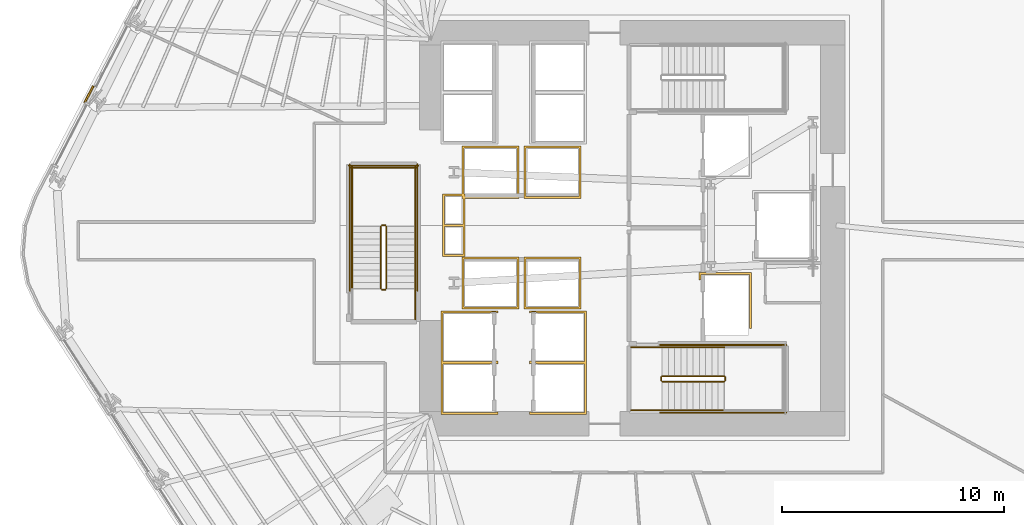
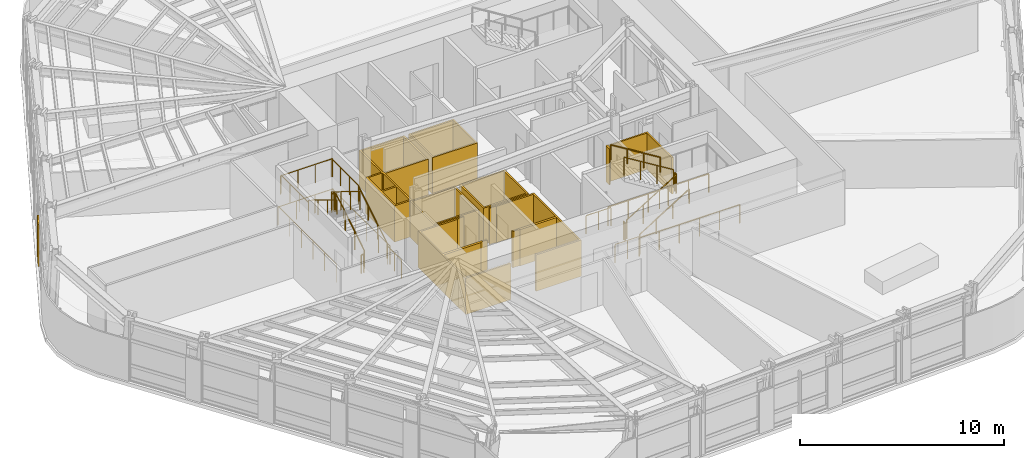
# One storey, part 11 of 15: 23 railings, 8 coverings.
"""IFC4 building model written with IfcOpenShell, lengths in metres."""

from ifc_helpers import new_model, si_unit, direction, frame, origin, origin_2d, place, context, subcontext, project, spatial, polyline, circle, outline, extrude, material, layer, layer_set, type_object, element, save


model = new_model("IFC4")

# Units and contexts
model_context = context("Model", 3, precision=1e-05, world=origin(), true_north=direction((0.0, 1.0)))
body_context = subcontext(model_context, "Body", "Model", "MODEL_VIEW")
ifc_project = project(units=[si_unit("LENGTHUNIT", "METRE"), si_unit("AREAUNIT", "SQUARE_METRE"), si_unit("VOLUMEUNIT", "CUBIC_METRE"), si_unit("PLANEANGLEUNIT", "RADIAN"), si_unit("MASSUNIT", "GRAM", prefix="KILO")], contexts=[model_context])

# Site, building, storey
site_placement = place(None, origin())
site = spatial("IfcSite", under=ifc_project, at=site_placement, CompositionType="ELEMENT")
building_placement = place(site_placement, origin())
building = spatial("IfcBuilding", under=site, at=building_placement, Name="Valkerne Bourse Tower", CompositionType="ELEMENT")
storey_placement = place(building_placement, frame((0.0, 0.0, 35.39990234375)))
storey = spatial("IfcBuildingStorey", under=building, at=storey_placement, Name="L08", CompositionType="ELEMENT", Elevation=35.39990234375)

# Coverings
ifc_material_1 = material(Name="Bronze Anodised Aluminium AA 6063-T6", Category="aluminium")
ifc_layer_1 = layer(ifc_material_1, 0.06005859375)
ifc_layer_set_1 = layer_set([ifc_layer_1], Name="Bronze Anodised Aluminium AA 6063-T6")
covering_type_1 = type_object("IfcCoveringType", Name="COV-CRN-ALUM", PredefinedType="CLADDING", material=ifc_layer_set_1)
covering_1_placement = place(storey_placement, origin())
element("IfcCovering", 1, at=covering_1_placement, inside=storey, type_object=covering_type_1, Name="L08 Wind-Shaped Corner Aluminium Cladding 12", PredefinedType="CLADDING", context=body_context, shape_type="SweptSolid", body=[
    extrude(outline(polyline([(22.4365234375, 33.30224609375), (22.507568359375, 33.265625), (22.1201171875, 32.520263671875), (22.049072265625, 32.556884765625), (22.4365234375, 33.30224609375)])), origin(), (0.0, 0.0, 1.0), 2.5),
])
ifc_material_2 = material(Name="Gypsum Shaftwall Liner Board", Category="gypsum")
ifc_layer_2 = layer(ifc_material_2, 0.080078125)
ifc_layer_set_2 = layer_set([ifc_layer_2], Name="Gypsum Shaftwall Liner Board")
covering_type_2 = type_object("IfcCoveringType", Name="COV-SHF-CLAD", PredefinedType="CLADDING", material=ifc_layer_set_2)
covering_2_placement = place(storey_placement, origin())
element("IfcCovering", 2, at=covering_2_placement, inside=storey, type_object=covering_type_2, Name="L08 Hoistway & Riser Shaftwall Liner 01", PredefinedType="CLADDING", context=body_context, shape_type="SweptSolid", body=[
    extrude(outline(polyline([(38.169921875, 23.1298828125), (40.72998046875, 23.1298828125), (40.72998046875, 23.052001953125), (40.72216796875, 23.0556640625), (40.6806640625, 23.070556640625), (40.6376953125, 23.081298828125), (40.593994140625, 23.087890625), (40.550048828125, 23.090087890625), (40.505859375, 23.087890625), (40.462158203125, 23.081298828125), (40.41943359375, 23.070556640625), (40.377685546875, 23.0556640625), (40.344482421875, 23.0400390625), (38.260009765625, 23.0400390625), (38.260009765625, 20.860107421875), (40.456787109375, 20.860107421875), (40.462158203125, 20.858642578125), (40.505859375, 20.852294921875), (40.550048828125, 20.85009765625), (40.593994140625, 20.852294921875), (40.6376953125, 20.858642578125), (40.6806640625, 20.869384765625), (40.72216796875, 20.88427734375), (40.72998046875, 20.887939453125), (40.72998046875, 20.830078125), (40.72998046875, 20.77001953125), (40.72998046875, 20.752197265625), (40.72216796875, 20.755615234375), (40.6806640625, 20.7705078125), (40.6376953125, 20.781494140625), (40.593994140625, 20.787841796875), (40.550048828125, 20.7900390625), (40.505859375, 20.787841796875), (40.462158203125, 20.781494140625), (40.41943359375, 20.7705078125), (40.377685546875, 20.755615234375), (40.344482421875, 20.739990234375), (38.260009765625, 20.739990234375), (38.260009765625, 18.56005859375), (40.456787109375, 18.56005859375), (40.462158203125, 18.55859375), (40.505859375, 18.55224609375), (40.550048828125, 18.550048828125), (40.593994140625, 18.55224609375), (40.6376953125, 18.55859375), (40.6806640625, 18.5693359375), (40.72216796875, 18.584228515625), (40.72998046875, 18.587890625), (40.72998046875, 18.469970703125), (38.169921875, 18.469970703125), (38.169921875, 20.77001953125), (38.169921875, 20.830078125), (38.169921875, 23.1298828125)])), origin(), (0.0, 0.0, 1.0), 2.18017578125),
])
covering_3_placement = place(storey_placement, origin())
element("IfcCovering", 3, at=covering_3_placement, inside=storey, type_object=covering_type_2, Name="L08 Hoistway & Riser Shaftwall Liner 02", PredefinedType="CLADDING", context=body_context, shape_type="SweptSolid", body=[
    extrude(outline(polyline([(41.679931640625, 23.219970703125), (39.1201171875, 23.219970703125), (39.1201171875, 25.580078125), (41.679931640625, 25.580078125), (41.679931640625, 23.219970703125)]), holes=[polyline([(39.2099609375, 25.489990234375), (39.2099609375, 23.31005859375), (41.590087890625, 23.31005859375), (41.590087890625, 25.489990234375), (39.2099609375, 25.489990234375)])]), origin(), (0.0, 0.0, 1.0), 2.18017578125),
])
covering_4_placement = place(storey_placement, origin())
element("IfcCovering", 4, at=covering_4_placement, inside=storey, type_object=covering_type_2, Name="L08 Hoistway & Riser Shaftwall Liner 03", PredefinedType="CLADDING", context=body_context, shape_type="SweptSolid", body=[
    extrude(outline(polyline([(44.47998046875, 23.219970703125), (41.919921875, 23.219970703125), (41.919921875, 25.580078125), (44.47998046875, 25.580078125), (44.47998046875, 23.219970703125)]), holes=[polyline([(42.010009765625, 25.489990234375), (42.010009765625, 23.31005859375), (44.389892578125, 23.31005859375), (44.389892578125, 25.489990234375), (42.010009765625, 25.489990234375)])]), origin(), (0.0, 0.0, 1.0), 2.18017578125),
])
covering_5_placement = place(storey_placement, origin())
element("IfcCovering", 5, at=covering_5_placement, inside=storey, type_object=covering_type_2, Name="L08 Hoistway & Riser Shaftwall Liner 04", PredefinedType="CLADDING", context=body_context, shape_type="SweptSolid", body=[
    extrude(outline(polyline([(38.239990234375, 28.409912109375), (39.1201171875, 28.409912109375), (39.1201171875, 30.580078125), (41.679931640625, 30.580078125), (41.679931640625, 28.219970703125), (39.239990234375, 28.219970703125), (39.239990234375, 27.0400390625), (39.239990234375, 26.9599609375), (39.239990234375, 25.590087890625), (38.239990234375, 25.590087890625), (38.239990234375, 26.9599609375), (38.239990234375, 27.0400390625), (38.239990234375, 28.409912109375)]), holes=[polyline([(39.2099609375, 30.489990234375), (39.2099609375, 28.409912109375), (39.239990234375, 28.409912109375), (39.239990234375, 28.31005859375), (41.590087890625, 28.31005859375), (41.590087890625, 30.489990234375), (39.2099609375, 30.489990234375)]), polyline([(38.330078125, 26.949951171875), (38.330078125, 25.679931640625), (39.14990234375, 25.679931640625), (39.14990234375, 26.949951171875), (38.330078125, 26.949951171875)]), polyline([(39.1201171875, 28.219970703125), (39.1201171875, 28.320068359375), (38.330078125, 28.320068359375), (38.330078125, 27.050048828125), (39.14990234375, 27.050048828125), (39.14990234375, 28.219970703125), (39.1201171875, 28.219970703125)])]), origin(), (0.0, 0.0, 1.0), 2.18017578125),
])
covering_6_placement = place(storey_placement, origin())
element("IfcCovering", 6, at=covering_6_placement, inside=storey, type_object=covering_type_2, Name="L08 Hoistway & Riser Shaftwall Liner 06", PredefinedType="CLADDING", context=body_context, shape_type="SweptSolid", body=[
    extrude(outline(polyline([(42.169921875, 20.830078125), (42.169921875, 20.887939453125), (42.177734375, 20.88427734375), (42.219482421875, 20.869384765625), (42.26220703125, 20.858642578125), (42.305908203125, 20.852294921875), (42.35009765625, 20.85009765625), (42.39404296875, 20.852294921875), (42.437744140625, 20.858642578125), (42.443115234375, 20.860107421875), (44.639892578125, 20.860107421875), (44.639892578125, 23.0400390625), (42.555419921875, 23.0400390625), (42.522216796875, 23.0556640625), (42.480712890625, 23.070556640625), (42.437744140625, 23.081298828125), (42.39404296875, 23.087890625), (42.35009765625, 23.090087890625), (42.305908203125, 23.087890625), (42.26220703125, 23.081298828125), (42.219482421875, 23.070556640625), (42.177734375, 23.0556640625), (42.169921875, 23.052001953125), (42.169921875, 23.1298828125), (44.72998046875, 23.1298828125), (44.72998046875, 20.830078125), (44.72998046875, 20.77001953125), (44.72998046875, 18.469970703125), (42.169921875, 18.469970703125), (42.169921875, 18.587890625), (42.177734375, 18.584228515625), (42.219482421875, 18.5693359375), (42.26220703125, 18.55859375), (42.305908203125, 18.55224609375), (42.35009765625, 18.550048828125), (42.39404296875, 18.55224609375), (42.437744140625, 18.55859375), (42.443115234375, 18.56005859375), (44.639892578125, 18.56005859375), (44.639892578125, 20.739990234375), (42.555419921875, 20.739990234375), (42.522216796875, 20.755615234375), (42.480712890625, 20.7705078125), (42.437744140625, 20.781494140625), (42.39404296875, 20.787841796875), (42.35009765625, 20.7900390625), (42.305908203125, 20.787841796875), (42.26220703125, 20.781494140625), (42.219482421875, 20.7705078125), (42.177734375, 20.755615234375), (42.169921875, 20.752197265625), (42.169921875, 20.77001953125), (42.169921875, 20.830078125)])), origin(), (0.0, 0.0, 1.0), 2.18017578125),
])
covering_7_placement = place(storey_placement, origin())
element("IfcCovering", 7, at=covering_7_placement, inside=storey, type_object=covering_type_2, Name="L08 Hoistway & Riser Shaftwall Liner 07", PredefinedType="CLADDING", context=body_context, shape_type="SweptSolid", body=[
    extrude(outline(polyline([(52.179931640625, 22.35009765625), (52.090087890625, 22.35009765625), (52.090087890625, 24.7900390625), (49.909912109375, 24.7900390625), (49.909912109375, 24.560791015625), (49.869384765625, 24.550537109375), (49.827880859375, 24.53564453125), (49.820068359375, 24.531982421875), (49.820068359375, 24.8798828125), (52.179931640625, 24.8798828125), (52.179931640625, 22.35009765625)])), origin(), (0.0, 0.0, 1.0), 2.18017578125),
])
covering_8_placement = place(storey_placement, origin())
element("IfcCovering", 8, at=covering_8_placement, inside=storey, type_object=covering_type_2, Name="L08 Hoistway & Riser Shaftwall Liner 09", PredefinedType="CLADDING", context=body_context, shape_type="SweptSolid", body=[
    extrude(outline(polyline([(44.47998046875, 28.219970703125), (41.919921875, 28.219970703125), (41.919921875, 30.580078125), (44.47998046875, 30.580078125), (44.47998046875, 28.219970703125)]), holes=[polyline([(42.010009765625, 30.489990234375), (42.010009765625, 28.31005859375), (44.389892578125, 28.31005859375), (44.389892578125, 30.489990234375), (42.010009765625, 30.489990234375)])]), origin(), (0.0, 0.0, 1.0), 2.18017578125),
])

# Railings
ifc_material_3 = material(Name="Galvanised Painted Steel", Category="steel")
railing_type_1 = type_object("IfcRailingType", Name="RLG-ST-GUARD-1120", PredefinedType="GUARDRAIL", material=ifc_material_3)
railing_1_placement = place(storey_placement, frame((48.14990234375, 19.949951171875, 0.1728515625)))
element("IfcRailing", 9, at=railing_1_placement, inside=storey, type_object=railing_type_1, Name="L08 ST-1 stair guard 1", PredefinedType="GUARDRAIL", context=body_context, shape_type="SweptSolid", body=[
    extrude(circle(Radius=0.02392578125, at=origin_2d()), frame((0.0, 0.0, 1.09619140625), z_axis=(0.851089632645, 0.0, 0.525020415988), x_axis=(0.0, 1.0, 0.0)), (0.0, 0.0, 1.0), 3.2900390625),
    extrude(circle(Radius=0.02099609375, at=origin_2d()), origin(), (0.0, 0.0, 1.0), 1.072021484375),
    extrude(circle(Radius=0.02099609375, at=origin_2d()), frame((0.933349609375, 0.0, 0.57568359375)), (0.0, 0.0, 1.0), 1.072021484375),
    extrude(circle(Radius=0.02099609375, at=origin_2d()), frame((1.86669921875, 0.0, 1.151611328125)), (0.0, 0.0, 1.0), 1.072021484375),
    extrude(circle(Radius=0.02099609375, at=origin_2d()), frame((2.800048828125, 0.0, 1.727294921875)), (0.0, 0.0, 1.0), 1.072021484375),
])
railing_2_placement = place(storey_placement, frame((51.0, 20.0, 1.900146484375)))
element("IfcRailing", 10, at=railing_2_placement, inside=storey, type_object=railing_type_1, Name="L08 ST-1 stair guard 2", PredefinedType="GUARDRAIL", context=body_context, shape_type="SweptSolid", body=[
    extrude(circle(Radius=0.02392578125, at=origin_2d()), frame((0.0, 0.0, 1.09619140625), z_axis=(0.0, 1.0, 0.0), x_axis=(-1.0, 0.0, 0.0)), (0.0, 0.0, 1.0), 0.14990234375),
    extrude(circle(Radius=0.02099609375, at=origin_2d()), origin(), (0.0, 0.0, 1.0), 1.072021484375),
    extrude(circle(Radius=0.02099609375, at=origin_2d()), frame((0.0, 0.14990234375, 0.0)), (0.0, 0.0, 1.0), 1.072021484375),
])
railing_3_placement = place(storey_placement, frame((50.949951171875, 20.199951171875, 2.07275390625)))
element("IfcRailing", 11, at=railing_3_placement, inside=storey, type_object=railing_type_1, Name="L08 ST-1 stair guard 6", PredefinedType="GUARDRAIL", context=body_context, shape_type="SweptSolid", body=[
    extrude(circle(Radius=0.02392578125, at=origin_2d()), frame((0.0, 0.0, 1.09619140625), z_axis=(-0.851089632645, 0.0, 0.525020415988), x_axis=(0.0, -1.0, 0.0)), (0.0, 0.0, 1.0), 3.2900390625),
    extrude(circle(Radius=0.02099609375, at=origin_2d()), origin(), (0.0, 0.0, 1.0), 1.072021484375),
    extrude(circle(Radius=0.02099609375, at=origin_2d()), frame((-0.933349609375, 0.0, 0.57568359375)), (0.0, 0.0, 1.0), 1.072021484375),
    extrude(circle(Radius=0.02099609375, at=origin_2d()), frame((-1.86669921875, 0.0, 1.151611328125)), (0.0, 0.0, 1.0), 1.072021484375),
    extrude(circle(Radius=0.02099609375, at=origin_2d()), frame((-2.800048828125, 0.0, 1.727294921875)), (0.0, 0.0, 1.0), 1.072021484375),
])
railing_4_placement = place(storey_placement, frame((48.10009765625, 20.0, 0.0)))
element("IfcRailing", 12, at=railing_4_placement, inside=storey, type_object=railing_type_1, Name="L08 ST-1 stair guard 7", PredefinedType="GUARDRAIL", context=body_context, shape_type="SweptSolid", body=[
    extrude(circle(Radius=0.02392578125, at=origin_2d()), frame((0.0, 0.0, 1.09619140625), z_axis=(0.0, 1.0, 0.0), x_axis=(-1.0, 0.0, 0.0)), (0.0, 0.0, 1.0), 0.14990234375),
    extrude(circle(Radius=0.02099609375, at=origin_2d()), origin(), (0.0, 0.0, 1.0), 1.072021484375),
    extrude(circle(Radius=0.02099609375, at=origin_2d()), frame((0.0, 0.14990234375, 0.0)), (0.0, 0.0, 1.0), 1.072021484375),
])
for number, where, name in (
    (13, (46.75, 18.64990234375, 0.0), "L08 ST-1 stair guard 8"),
    (14, (46.75, 21.5, 0.0), "L08 ST-1 stair guard 9"),
):
    element("IfcRailing", number, at=place(storey_placement, frame(where)), inside=storey, type_object=railing_type_1, Name=name, PredefinedType="GUARDRAIL", context=body_context, shape_type="SweptSolid", body=[
        extrude(circle(Radius=0.02392578125, at=origin_2d()), frame((0.0, 0.0, 1.09619140625), z_axis=(1.0, 0.0, 0.0), x_axis=(0.0, 1.0, 0.0)), (0.0, 0.0, 1.0), 1.39990234375),
        extrude(circle(Radius=0.02099609375, at=origin_2d()), origin(), (0.0, 0.0, 1.0), 1.072021484375),
        extrude(circle(Radius=0.02099609375, at=origin_2d()), frame((0.699951171875, 0.0, 0.0)), (0.0, 0.0, 1.0), 1.072021484375),
        extrude(circle(Radius=0.02099609375, at=origin_2d()), frame((1.39990234375, 0.0, 0.0)), (0.0, 0.0, 1.0), 1.072021484375),
    ])
for number, where, name in (
    (15, (48.050048828125, 18.550048828125, 0.0), "L08 ST-1 stair guard 10"),
    (16, (48.050048828125, 21.60009765625, 0.0), "L08 ST-1 stair guard 11"),
):
    element("IfcRailing", number, at=place(storey_placement, frame(where)), inside=storey, type_object=railing_type_1, Name=name, PredefinedType="GUARDRAIL", context=body_context, shape_type="SweptSolid", body=[
        extrude(circle(Radius=0.02392578125, at=origin_2d()), frame((0.0, 0.0, 1.09619140625), z_axis=(1.0, 0.0, 0.0), x_axis=(0.0, 1.0, 0.0)), (0.0, 0.0, 1.0), 5.699951171875),
        extrude(circle(Radius=0.02099609375, at=origin_2d()), origin(), (0.0, 0.0, 1.0), 1.072021484375),
        extrude(circle(Radius=0.02099609375, at=origin_2d()), frame((1.139892578125, 0.0, 0.0)), (0.0, 0.0, 1.0), 1.072021484375),
        extrude(circle(Radius=0.02099609375, at=origin_2d()), frame((2.280029296875, 0.0, 0.0)), (0.0, 0.0, 1.0), 1.072021484375),
        extrude(circle(Radius=0.02099609375, at=origin_2d()), frame((3.419921875, 0.0, 0.0)), (0.0, 0.0, 1.0), 1.072021484375),
        extrude(circle(Radius=0.02099609375, at=origin_2d()), frame((4.56005859375, 0.0, 0.0)), (0.0, 0.0, 1.0), 1.072021484375),
        extrude(circle(Radius=0.02099609375, at=origin_2d()), frame((5.699951171875, 0.0, 0.0)), (0.0, 0.0, 1.0), 1.072021484375),
    ])
railing_5_placement = place(storey_placement, frame((35.699951171875, 24.14990234375, 0.1728515625)))
element("IfcRailing", 17, at=railing_5_placement, inside=storey, type_object=railing_type_1, Name="L08 ST-3 stair guard 1", PredefinedType="GUARDRAIL", context=body_context, shape_type="SweptSolid", body=[
    extrude(circle(Radius=0.02392578125, at=origin_2d()), frame((0.0, 0.0, 1.09619140625), z_axis=(0.0, 0.851089632645, 0.525020415988), x_axis=(-1.0, 0.0, 0.0)), (0.0, 0.0, 1.0), 3.2900390625),
    extrude(circle(Radius=0.02099609375, at=origin_2d()), origin(), (0.0, 0.0, 1.0), 1.072021484375),
    extrude(circle(Radius=0.02099609375, at=origin_2d()), frame((0.0, 0.933349609375, 0.57568359375)), (0.0, 0.0, 1.0), 1.072021484375),
    extrude(circle(Radius=0.02099609375, at=origin_2d()), frame((0.0, 1.86669921875, 1.151611328125)), (0.0, 0.0, 1.0), 1.072021484375),
    extrude(circle(Radius=0.02099609375, at=origin_2d()), frame((0.0, 2.800048828125, 1.727294921875)), (0.0, 0.0, 1.0), 1.072021484375),
])
railing_6_placement = place(storey_placement, frame((35.64990234375, 27.0, 1.900146484375)))
element("IfcRailing", 18, at=railing_6_placement, inside=storey, type_object=railing_type_1, Name="L08 ST-3 stair guard 2", PredefinedType="GUARDRAIL", context=body_context, shape_type="SweptSolid", body=[
    extrude(circle(Radius=0.02392578125, at=origin_2d()), frame((0.0, 0.0, 1.09619140625), z_axis=(-1.0, 0.0, 0.0), x_axis=(0.0, -1.0, 0.0)), (0.0, 0.0, 1.0), 0.14990234375),
    extrude(circle(Radius=0.02099609375, at=origin_2d()), origin(), (0.0, 0.0, 1.0), 1.072021484375),
    extrude(circle(Radius=0.02099609375, at=origin_2d()), frame((-0.14990234375, 0.0, 0.0)), (0.0, 0.0, 1.0), 1.072021484375),
])
for number, where, name in (
    (19, (37.0, 26.949951171875, 1.900146484375), "L08 ST-3 stair guard 3"),
    (20, (34.14990234375, 26.949951171875, 1.900146484375), "L08 ST-3 stair guard 4"),
):
    element("IfcRailing", number, at=place(storey_placement, frame(where)), inside=storey, type_object=railing_type_1, Name=name, PredefinedType="GUARDRAIL", context=body_context, shape_type="SweptSolid", body=[
        extrude(circle(Radius=0.02392578125, at=origin_2d()), frame((0.0, 0.0, 1.09619140625), z_axis=(0.0, 1.0, 0.0), x_axis=(-1.0, 0.0, 0.0)), (0.0, 0.0, 1.0), 2.699951171875),
        extrude(circle(Radius=0.02099609375, at=origin_2d()), origin(), (0.0, 0.0, 1.0), 1.072021484375),
        extrude(circle(Radius=0.02099609375, at=origin_2d()), frame((0.0, 0.89990234375, 0.0)), (0.0, 0.0, 1.0), 1.072021484375),
        extrude(circle(Radius=0.02099609375, at=origin_2d()), frame((0.0, 1.800048828125, 0.0)), (0.0, 0.0, 1.0), 1.072021484375),
        extrude(circle(Radius=0.02099609375, at=origin_2d()), frame((0.0, 2.699951171875, 0.0)), (0.0, 0.0, 1.0), 1.072021484375),
    ])
railing_7_placement = place(storey_placement, frame((37.050048828125, 29.60009765625, 1.900146484375)))
element("IfcRailing", 21, at=railing_7_placement, inside=storey, type_object=railing_type_1, Name="L08 ST-3 stair guard 5", PredefinedType="GUARDRAIL", context=body_context, shape_type="SweptSolid", body=[
    extrude(circle(Radius=0.02392578125, at=origin_2d()), frame((0.0, 0.0, 1.09619140625), z_axis=(-1.0, 0.0, 0.0), x_axis=(0.0, -1.0, 0.0)), (0.0, 0.0, 1.0), 2.949951171875),
    extrude(circle(Radius=0.02099609375, at=origin_2d()), origin(), (0.0, 0.0, 1.0), 1.072021484375),
    extrude(circle(Radius=0.02099609375, at=origin_2d()), frame((-0.9833984375, 0.0, 0.0)), (0.0, 0.0, 1.0), 1.072021484375),
    extrude(circle(Radius=0.02099609375, at=origin_2d()), frame((-1.966552734375, 0.0, 0.0)), (0.0, 0.0, 1.0), 1.072021484375),
    extrude(circle(Radius=0.02099609375, at=origin_2d()), frame((-2.949951171875, 0.0, 0.0)), (0.0, 0.0, 1.0), 1.072021484375),
])
railing_8_placement = place(storey_placement, frame((35.449951171875, 26.949951171875, 2.07275390625)))
element("IfcRailing", 22, at=railing_8_placement, inside=storey, type_object=railing_type_1, Name="L08 ST-3 stair guard 6", PredefinedType="GUARDRAIL", context=body_context, shape_type="SweptSolid", body=[
    extrude(circle(Radius=0.02392578125, at=origin_2d()), frame((0.0, 0.0, 1.09619140625), z_axis=(0.0, -0.851089632645, 0.525020415988), x_axis=(1.0, 0.0, 0.0)), (0.0, 0.0, 1.0), 3.2900390625),
    extrude(circle(Radius=0.02099609375, at=origin_2d()), origin(), (0.0, 0.0, 1.0), 1.072021484375),
    extrude(circle(Radius=0.02099609375, at=origin_2d()), frame((0.0, -0.933349609375, 0.57568359375)), (0.0, 0.0, 1.0), 1.072021484375),
    extrude(circle(Radius=0.02099609375, at=origin_2d()), frame((0.0, -1.86669921875, 1.151611328125)), (0.0, 0.0, 1.0), 1.072021484375),
    extrude(circle(Radius=0.02099609375, at=origin_2d()), frame((0.0, -2.800048828125, 1.727294921875)), (0.0, 0.0, 1.0), 1.072021484375),
])
railing_9_placement = place(storey_placement, frame((35.64990234375, 24.10009765625, 0.0)))
element("IfcRailing", 23, at=railing_9_placement, inside=storey, type_object=railing_type_1, Name="L08 ST-3 stair guard 7", PredefinedType="GUARDRAIL", context=body_context, shape_type="SweptSolid", body=[
    extrude(circle(Radius=0.02392578125, at=origin_2d()), frame((0.0, 0.0, 1.09619140625), z_axis=(-1.0, 0.0, 0.0), x_axis=(0.0, -1.0, 0.0)), (0.0, 0.0, 1.0), 0.14990234375),
    extrude(circle(Radius=0.02099609375, at=origin_2d()), origin(), (0.0, 0.0, 1.0), 1.072021484375),
    extrude(circle(Radius=0.02099609375, at=origin_2d()), frame((-0.14990234375, 0.0, 0.0)), (0.0, 0.0, 1.0), 1.072021484375),
])
railing_10_placement = place(storey_placement, frame((37.0, 22.75, 0.0)))
element("IfcRailing", 24, at=railing_10_placement, inside=storey, type_object=railing_type_1, Name="L08 ST-3 stair guard 8", PredefinedType="GUARDRAIL", context=body_context, shape_type="SweptSolid", body=[
    extrude(circle(Radius=0.02392578125, at=origin_2d()), frame((0.0, 0.0, 1.09619140625), z_axis=(0.0, 1.0, 0.0), x_axis=(-1.0, 0.0, 0.0)), (0.0, 0.0, 1.0), 1.39990234375),
    extrude(circle(Radius=0.02099609375, at=origin_2d()), origin(), (0.0, 0.0, 1.0), 1.072021484375),
    extrude(circle(Radius=0.02099609375, at=origin_2d()), frame((0.0, 0.699951171875, 0.0)), (0.0, 0.0, 1.0), 1.072021484375),
    extrude(circle(Radius=0.02099609375, at=origin_2d()), frame((0.0, 1.39990234375, 0.0)), (0.0, 0.0, 1.0), 1.072021484375),
])
for number, where, name in (
    (25, (37.10009765625, 24.050048828125, 0.0), "L08 ST-3 stair guard 10"),
    (26, (34.050048828125, 24.050048828125, 0.0), "L08 ST-3 stair guard 11"),
):
    element("IfcRailing", number, at=place(storey_placement, frame(where)), inside=storey, type_object=railing_type_1, Name=name, PredefinedType="GUARDRAIL", context=body_context, shape_type="SweptSolid", body=[
        extrude(circle(Radius=0.02392578125, at=origin_2d()), frame((0.0, 0.0, 1.09619140625), z_axis=(0.0, 1.0, 0.0), x_axis=(-1.0, 0.0, 0.0)), (0.0, 0.0, 1.0), 5.699951171875),
        extrude(circle(Radius=0.02099609375, at=origin_2d()), origin(), (0.0, 0.0, 1.0), 1.072021484375),
        extrude(circle(Radius=0.02099609375, at=origin_2d()), frame((0.0, 1.139892578125, 0.0)), (0.0, 0.0, 1.0), 1.072021484375),
        extrude(circle(Radius=0.02099609375, at=origin_2d()), frame((0.0, 2.280029296875, 0.0)), (0.0, 0.0, 1.0), 1.072021484375),
        extrude(circle(Radius=0.02099609375, at=origin_2d()), frame((0.0, 3.419921875, 0.0)), (0.0, 0.0, 1.0), 1.072021484375),
        extrude(circle(Radius=0.02099609375, at=origin_2d()), frame((0.0, 4.56005859375, 0.0)), (0.0, 0.0, 1.0), 1.072021484375),
        extrude(circle(Radius=0.02099609375, at=origin_2d()), frame((0.0, 5.699951171875, 0.0)), (0.0, 0.0, 1.0), 1.072021484375),
    ])
railing_11_placement = place(storey_placement, frame((37.14990234375, 29.699951171875, 0.0)))
element("IfcRailing", 27, at=railing_11_placement, inside=storey, type_object=railing_type_1, Name="L08 ST-3 stair guard 12", PredefinedType="GUARDRAIL", context=body_context, shape_type="SweptSolid", body=[
    extrude(circle(Radius=0.02392578125, at=origin_2d()), frame((0.0, 0.0, 1.09619140625), z_axis=(-1.0, 0.0, 0.0), x_axis=(0.0, -1.0, 0.0)), (0.0, 0.0, 1.0), 3.14990234375),
    extrude(circle(Radius=0.02099609375, at=origin_2d()), origin(), (0.0, 0.0, 1.0), 1.072021484375),
    extrude(circle(Radius=0.02099609375, at=origin_2d()), frame((-1.050048828125, 0.0, 0.0)), (0.0, 0.0, 1.0), 1.072021484375),
    extrude(circle(Radius=0.02099609375, at=origin_2d()), frame((-2.099853515625, 0.0, 0.0)), (0.0, 0.0, 1.0), 1.072021484375),
    extrude(circle(Radius=0.02099609375, at=origin_2d()), frame((-3.14990234375, 0.0, 0.0)), (0.0, 0.0, 1.0), 1.072021484375),
])
ifc_material_4 = material(Name="Stainless Steel AISI 316", Category="steel")
railing_type_2 = type_object("IfcRailingType", Name="RLG-ST-HANDRAIL-900", PredefinedType="HANDRAIL", material=ifc_material_4)
railing_12_placement = place(storey_placement, frame((48.14990234375, 18.64990234375, 0.345458984375)))
element("IfcRailing", 28, at=railing_12_placement, inside=storey, type_object=railing_type_2, Name="L08 ST-1 stair handrail 1", PredefinedType="HANDRAIL", context=body_context, shape_type="SweptSolid", body=[
    extrude(circle(Radius=0.02392578125, at=origin_2d()), frame((0.0, 0.0, 0.8759765625), z_axis=(0.851089632645, 0.0, 0.525020415988), x_axis=(0.0, 1.0, 0.0)), (0.0, 0.0, 1.0), 3.2900390625),
    extrude(circle(Radius=0.02099609375, at=origin_2d()), origin(), (0.0, 0.0, 1.0), 0.851806640625),
    extrude(circle(Radius=0.02099609375, at=origin_2d()), frame((0.933349609375, 0.0, 0.57568359375)), (0.0, 0.0, 1.0), 0.851806640625),
    extrude(circle(Radius=0.02099609375, at=origin_2d()), frame((1.86669921875, 0.0, 1.151611328125)), (0.0, 0.0, 1.0), 0.851806640625),
    extrude(circle(Radius=0.02099609375, at=origin_2d()), frame((2.800048828125, 0.0, 1.727294921875)), (0.0, 0.0, 1.0), 0.851806640625),
])
railing_13_placement = place(storey_placement, frame((50.949951171875, 21.5, 2.24560546875)))
element("IfcRailing", 29, at=railing_13_placement, inside=storey, type_object=railing_type_2, Name="L08 ST-1 stair handrail 2", PredefinedType="HANDRAIL", context=body_context, shape_type="SweptSolid", body=[
    extrude(circle(Radius=0.02392578125, at=origin_2d()), frame((0.0, 0.0, 0.8759765625), z_axis=(-0.851089632645, 0.0, 0.525020415988), x_axis=(0.0, -1.0, 0.0)), (0.0, 0.0, 1.0), 3.2900390625),
    extrude(circle(Radius=0.02099609375, at=origin_2d()), origin(), (0.0, 0.0, 1.0), 0.851806640625),
    extrude(circle(Radius=0.02099609375, at=origin_2d()), frame((-0.933349609375, 0.0, 0.57568359375)), (0.0, 0.0, 1.0), 0.851806640625),
    extrude(circle(Radius=0.02099609375, at=origin_2d()), frame((-1.86669921875, 0.0, 1.151611328125)), (0.0, 0.0, 1.0), 0.851806640625),
    extrude(circle(Radius=0.02099609375, at=origin_2d()), frame((-2.800048828125, 0.0, 1.727294921875)), (0.0, 0.0, 1.0), 0.851806640625),
])
railing_14_placement = place(storey_placement, frame((37.0, 24.14990234375, 0.345458984375)))
element("IfcRailing", 30, at=railing_14_placement, inside=storey, type_object=railing_type_2, Name="L08 ST-3 stair handrail 1", PredefinedType="HANDRAIL", context=body_context, shape_type="SweptSolid", body=[
    extrude(circle(Radius=0.02392578125, at=origin_2d()), frame((0.0, 0.0, 0.8759765625), z_axis=(0.0, 0.851089632645, 0.525020415988), x_axis=(-1.0, 0.0, 0.0)), (0.0, 0.0, 1.0), 3.2900390625),
    extrude(circle(Radius=0.02099609375, at=origin_2d()), origin(), (0.0, 0.0, 1.0), 0.851806640625),
    extrude(circle(Radius=0.02099609375, at=origin_2d()), frame((0.0, 0.933349609375, 0.57568359375)), (0.0, 0.0, 1.0), 0.851806640625),
    extrude(circle(Radius=0.02099609375, at=origin_2d()), frame((0.0, 1.86669921875, 1.151611328125)), (0.0, 0.0, 1.0), 0.851806640625),
    extrude(circle(Radius=0.02099609375, at=origin_2d()), frame((0.0, 2.800048828125, 1.727294921875)), (0.0, 0.0, 1.0), 0.851806640625),
])
railing_15_placement = place(storey_placement, frame((34.14990234375, 26.949951171875, 2.24560546875)))
element("IfcRailing", 31, at=railing_15_placement, inside=storey, type_object=railing_type_2, Name="L08 ST-3 stair handrail 2", PredefinedType="HANDRAIL", context=body_context, shape_type="SweptSolid", body=[
    extrude(circle(Radius=0.02392578125, at=origin_2d()), frame((0.0, 0.0, 0.8759765625), z_axis=(0.0, -0.851089632645, 0.525020415988), x_axis=(1.0, 0.0, 0.0)), (0.0, 0.0, 1.0), 3.2900390625),
    extrude(circle(Radius=0.02099609375, at=origin_2d()), origin(), (0.0, 0.0, 1.0), 0.851806640625),
    extrude(circle(Radius=0.02099609375, at=origin_2d()), frame((0.0, -0.933349609375, 0.57568359375)), (0.0, 0.0, 1.0), 0.851806640625),
    extrude(circle(Radius=0.02099609375, at=origin_2d()), frame((0.0, -1.86669921875, 1.151611328125)), (0.0, 0.0, 1.0), 0.851806640625),
    extrude(circle(Radius=0.02099609375, at=origin_2d()), frame((0.0, -2.800048828125, 1.727294921875)), (0.0, 0.0, 1.0), 0.851806640625),
])

save(model, "model.ifc")
